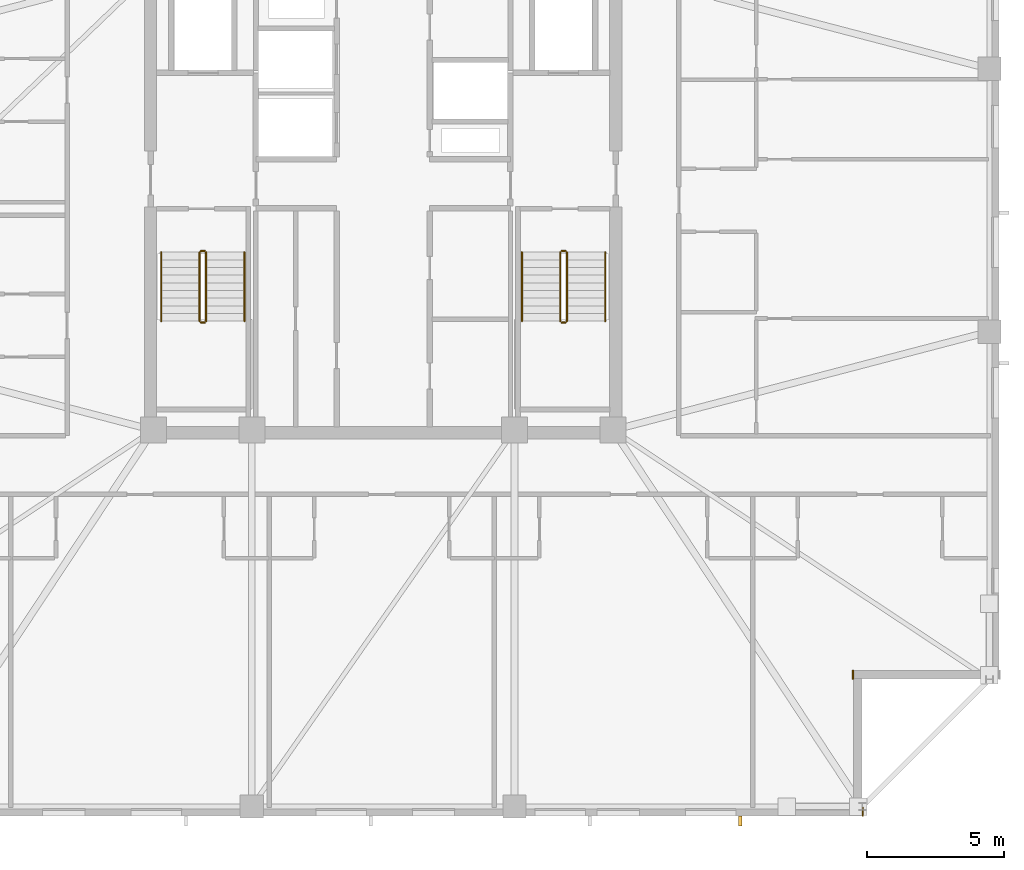
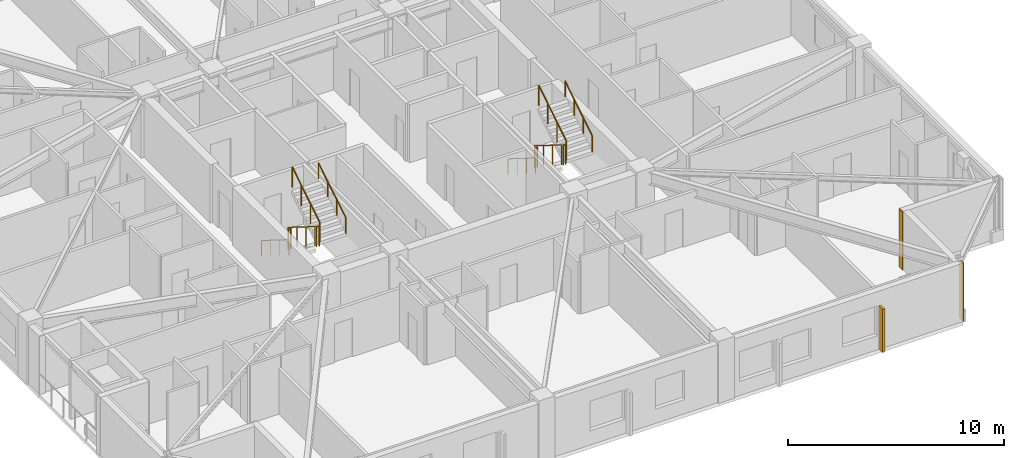
# One storey, part 14 of 17: 12 railings, 2 coverings, 1 shading device.
"""IFC4 building model written with IfcOpenShell, lengths in metres."""

from ifc_helpers import new_model, si_unit, direction, frame, frame_2d, origin, origin_2d, place, context, subcontext, project, spatial, rectangle, circle, extrude, material, layer, layer_set, type_object, element, save


model = new_model("IFC4")

# Units and contexts
model_context = context("Model", 3, precision=1e-05, world=origin(), true_north=direction((0.0, 1.0)))
body_context = subcontext(model_context, "Body", "Model", "MODEL_VIEW")
ifc_project = project(units=[si_unit("LENGTHUNIT", "METRE"), si_unit("AREAUNIT", "SQUARE_METRE"), si_unit("VOLUMEUNIT", "CUBIC_METRE"), si_unit("PLANEANGLEUNIT", "RADIAN"), si_unit("MASSUNIT", "GRAM", prefix="KILO")], contexts=[model_context])

# Site, building, storey
site_placement = place(None, origin())
site = spatial("IfcSite", under=ifc_project, at=site_placement, CompositionType="ELEMENT")
building_placement = place(site_placement, origin())
building = spatial("IfcBuilding", under=site, at=building_placement, Name="Cairnveth Concourse Tower", CompositionType="ELEMENT")
storey_placement = place(building_placement, frame((0.0, 0.0, 251.5)))
storey = spatial("IfcBuildingStorey", under=building, at=storey_placement, Name="L69", CompositionType="ELEMENT", Elevation=251.5)

# Coverings
ifc_material_1 = material(Name="Dressed Melbourne Bluestone Cladding", Category="masonry")
ifc_layer = layer(ifc_material_1, 0.050048828125)
ifc_layer_set = layer_set([ifc_layer], Name="Dressed Melbourne Bluestone Cladding")
covering_type = type_object("IfcCoveringType", Name="DRESSED BLUESTONE PLINTH CLADDING 50", PredefinedType="CLADDING", material=ifc_layer_set)
for number, where, z_axis, x_axis, name in (
    (1, (69.159912109375, 21.820068359375, 0.0), (0.0, 0.0, 1.0), (0.0, -1.0, 0.0), "Melbourne Bluestone Corner Quoin L69-1047"),
    (2, (69.52001953125, 16.820068359375, 0.0), (0.0, 0.0, 1.0), (0.0, -1.0, 0.0), "Melbourne Bluestone Corner Quoin L69-1048"),
):
    element("IfcCovering", number, at=place(storey_placement, frame(where, z_axis=z_axis, x_axis=x_axis)), inside=storey, type_object=covering_type, Name=name, PredefinedType="CLADDING", context=body_context, shape_type="SweptSolid", body=[
        extrude(rectangle(XDim=0.320068359375, YDim=0.050048828125, at=frame_2d((0.16015625, 0.0))), origin(), (0.0, 0.0, 1.0), 3.2900390625),
    ])

# Shading device
ifc_material_2 = material(Name="Architectural Bronze Anodised Aluminium 6063-T6", Category="aluminium")
shading_device_type = type_object("IfcShadingDeviceType", Name="GOTHIC BRONZE VERTICAL LANCET FIN", PredefinedType="USERDEFINED", material=ifc_material_2)
shading_device_placement = place(storey_placement, frame((65.04736328125, 16.324951171875, 0.030029296875), z_axis=(0.0, 0.0, 1.0), x_axis=(1.0, 0.0, 0.0)))
element("IfcShadingDevice", 3, at=shading_device_placement, inside=storey, type_object=shading_device_type, Name="Gothic Bronze Vertical Fin L69-9-1", ObjectType="VERTICAL FIN", PredefinedType="USERDEFINED", context=body_context, shape_type="SweptSolid", body=[
    extrude(rectangle(XDim=0.1201171875, YDim=0.360107421875, at=origin_2d()), origin(), (0.0, 0.0, 1.0), 2.43798828125),
])

# Railings
ifc_material_3 = material(Name="Steel Grade 350", Category="steel")
railing_type_1 = type_object("IfcRailingType", Name="STAIR GUARDRAIL 1150", PredefinedType="GUARDRAIL", material=ifc_material_3)
railing_1_placement = place(storey_placement, frame((45.2900390625, 37.10009765625, 0.175048828125)))
element("IfcRailing", 4, at=railing_1_placement, inside=storey, type_object=railing_type_1, Name="L69 ST-1 stair guard 1", PredefinedType="GUARDRAIL", context=body_context, shape_type="SweptSolid", body=[
    extrude(circle(Radius=0.02392578125, at=origin_2d()), frame((0.0, 0.0, 1.1259765625), z_axis=(0.0, -0.848007534815, 0.529984170421), x_axis=(1.0, 0.0, 0.0)), (0.0, 0.0, 1.0), 2.9716796875),
    extrude(circle(Radius=0.02099609375, at=origin_2d()), origin(), (0.0, 0.0, 1.0), 1.101806640625),
    extrude(circle(Radius=0.02099609375, at=origin_2d()), frame((0.0, -0.840087890625, 0.52490234375)), (0.0, 0.0, 1.0), 1.101806640625),
    extrude(circle(Radius=0.02099609375, at=origin_2d()), frame((0.0, -1.679931640625, 1.050048828125)), (0.0, 0.0, 1.0), 1.101806640625),
    extrude(circle(Radius=0.02099609375, at=origin_2d()), frame((0.0, -2.52001953125, 1.574951171875)), (0.0, 0.0, 1.0), 1.101806640625),
])
railing_2_placement = place(storey_placement, frame((45.340087890625, 34.530029296875, 1.75)))
element("IfcRailing", 5, at=railing_2_placement, inside=storey, type_object=railing_type_1, Name="L69 ST-1 stair guard 2", PredefinedType="GUARDRAIL", context=body_context, shape_type="SweptSolid", body=[
    extrude(circle(Radius=0.02392578125, at=origin_2d()), frame((0.0, 0.0, 1.1259765625), z_axis=(1.0, 0.0, 0.0), x_axis=(0.0, 1.0, 0.0)), (0.0, 0.0, 1.0), 0.139892578125),
    extrude(circle(Radius=0.02099609375, at=origin_2d()), origin(), (0.0, 0.0, 1.0), 1.101806640625),
    extrude(circle(Radius=0.02099609375, at=origin_2d()), frame((0.139892578125, 0.0, 0.0)), (0.0, 0.0, 1.0), 1.101806640625),
])
railing_3_placement = place(storey_placement, frame((45.530029296875, 34.580078125, 1.925048828125)))
element("IfcRailing", 6, at=railing_3_placement, inside=storey, type_object=railing_type_1, Name="L69 ST-1 stair guard 3", PredefinedType="GUARDRAIL", context=body_context, shape_type="SweptSolid", body=[
    extrude(circle(Radius=0.02392578125, at=origin_2d()), frame((0.0, 0.0, 1.1259765625), z_axis=(0.0, 0.848007534815, 0.529984170421), x_axis=(-1.0, 0.0, 0.0)), (0.0, 0.0, 1.0), 2.9716796875),
    extrude(circle(Radius=0.02099609375, at=origin_2d()), origin(), (0.0, 0.0, 1.0), 1.101806640625),
    extrude(circle(Radius=0.02099609375, at=origin_2d()), frame((0.0, 0.840087890625, 0.52490234375)), (0.0, 0.0, 1.0), 1.101806640625),
    extrude(circle(Radius=0.02099609375, at=origin_2d()), frame((0.0, 1.679931640625, 1.050048828125)), (0.0, 0.0, 1.0), 1.101806640625),
    extrude(circle(Radius=0.02099609375, at=origin_2d()), frame((0.0, 2.52001953125, 1.574951171875)), (0.0, 0.0, 1.0), 1.101806640625),
])
railing_4_placement = place(storey_placement, frame((45.340087890625, 37.14990234375, 0.0)))
element("IfcRailing", 7, at=railing_4_placement, inside=storey, type_object=railing_type_1, Name="L69 ST-1 stair guard 4", PredefinedType="GUARDRAIL", context=body_context, shape_type="SweptSolid", body=[
    extrude(circle(Radius=0.02392578125, at=origin_2d()), frame((0.0, 0.0, 1.1259765625), z_axis=(1.0, 0.0, 0.0), x_axis=(0.0, 1.0, 0.0)), (0.0, 0.0, 1.0), 0.139892578125),
    extrude(circle(Radius=0.02099609375, at=origin_2d()), origin(), (0.0, 0.0, 1.0), 1.101806640625),
    extrude(circle(Radius=0.02099609375, at=origin_2d()), frame((0.139892578125, 0.0, 0.0)), (0.0, 0.0, 1.0), 1.101806640625),
])
railing_5_placement = place(storey_placement, frame((58.469970703125, 37.10009765625, 0.175048828125)))
element("IfcRailing", 8, at=railing_5_placement, inside=storey, type_object=railing_type_1, Name="L69 ST-2 stair guard 1", PredefinedType="GUARDRAIL", context=body_context, shape_type="SweptSolid", body=[
    extrude(circle(Radius=0.02392578125, at=origin_2d()), frame((0.0, 0.0, 1.1259765625), z_axis=(0.0, -0.848007534815, 0.529984170421), x_axis=(1.0, 0.0, 0.0)), (0.0, 0.0, 1.0), 2.9716796875),
    extrude(circle(Radius=0.02099609375, at=origin_2d()), origin(), (0.0, 0.0, 1.0), 1.101806640625),
    extrude(circle(Radius=0.02099609375, at=origin_2d()), frame((0.0, -0.840087890625, 0.52490234375)), (0.0, 0.0, 1.0), 1.101806640625),
    extrude(circle(Radius=0.02099609375, at=origin_2d()), frame((0.0, -1.679931640625, 1.050048828125)), (0.0, 0.0, 1.0), 1.101806640625),
    extrude(circle(Radius=0.02099609375, at=origin_2d()), frame((0.0, -2.52001953125, 1.574951171875)), (0.0, 0.0, 1.0), 1.101806640625),
])
railing_6_placement = place(storey_placement, frame((58.52001953125, 34.530029296875, 1.75)))
element("IfcRailing", 9, at=railing_6_placement, inside=storey, type_object=railing_type_1, Name="L69 ST-2 stair guard 2", PredefinedType="GUARDRAIL", context=body_context, shape_type="SweptSolid", body=[
    extrude(circle(Radius=0.02392578125, at=origin_2d()), frame((0.0, 0.0, 1.1259765625), z_axis=(1.0, 0.0, 0.0), x_axis=(0.0, 1.0, 0.0)), (0.0, 0.0, 1.0), 0.139892578125),
    extrude(circle(Radius=0.02099609375, at=origin_2d()), origin(), (0.0, 0.0, 1.0), 1.101806640625),
    extrude(circle(Radius=0.02099609375, at=origin_2d()), frame((0.139892578125, 0.0, 0.0)), (0.0, 0.0, 1.0), 1.101806640625),
])
railing_7_placement = place(storey_placement, frame((58.7099609375, 34.580078125, 1.925048828125)))
element("IfcRailing", 10, at=railing_7_placement, inside=storey, type_object=railing_type_1, Name="L69 ST-2 stair guard 3", PredefinedType="GUARDRAIL", context=body_context, shape_type="SweptSolid", body=[
    extrude(circle(Radius=0.02392578125, at=origin_2d()), frame((0.0, 0.0, 1.1259765625), z_axis=(0.0, 0.848007534815, 0.529984170421), x_axis=(-1.0, 0.0, 0.0)), (0.0, 0.0, 1.0), 2.9716796875),
    extrude(circle(Radius=0.02099609375, at=origin_2d()), origin(), (0.0, 0.0, 1.0), 1.101806640625),
    extrude(circle(Radius=0.02099609375, at=origin_2d()), frame((0.0, 0.840087890625, 0.52490234375)), (0.0, 0.0, 1.0), 1.101806640625),
    extrude(circle(Radius=0.02099609375, at=origin_2d()), frame((0.0, 1.679931640625, 1.050048828125)), (0.0, 0.0, 1.0), 1.101806640625),
    extrude(circle(Radius=0.02099609375, at=origin_2d()), frame((0.0, 2.52001953125, 1.574951171875)), (0.0, 0.0, 1.0), 1.101806640625),
])
railing_8_placement = place(storey_placement, frame((58.52001953125, 37.14990234375, 0.0)))
element("IfcRailing", 11, at=railing_8_placement, inside=storey, type_object=railing_type_1, Name="L69 ST-2 stair guard 4", PredefinedType="GUARDRAIL", context=body_context, shape_type="SweptSolid", body=[
    extrude(circle(Radius=0.02392578125, at=origin_2d()), frame((0.0, 0.0, 1.1259765625), z_axis=(1.0, 0.0, 0.0), x_axis=(0.0, 1.0, 0.0)), (0.0, 0.0, 1.0), 0.139892578125),
    extrude(circle(Radius=0.02099609375, at=origin_2d()), origin(), (0.0, 0.0, 1.0), 1.101806640625),
    extrude(circle(Radius=0.02099609375, at=origin_2d()), frame((0.139892578125, 0.0, 0.0)), (0.0, 0.0, 1.0), 1.101806640625),
])
railing_type_2 = type_object("IfcRailingType", Name="STAIR WALL HANDRAIL 900", PredefinedType="HANDRAIL", material=ifc_material_3)
railing_9_placement = place(storey_placement, frame((43.889892578125, 37.10009765625, 0.175048828125)))
element("IfcRailing", 12, at=railing_9_placement, inside=storey, type_object=railing_type_2, Name="L69 ST-1 stair handrail 1", PredefinedType="HANDRAIL", context=body_context, shape_type="SweptSolid", body=[
    extrude(circle(Radius=0.02392578125, at=origin_2d()), frame((0.0, 0.0, 0.8759765625), z_axis=(0.0, -0.848007534815, 0.529984170421), x_axis=(1.0, 0.0, 0.0)), (0.0, 0.0, 1.0), 2.9716796875),
    extrude(circle(Radius=0.02099609375, at=origin_2d()), origin(), (0.0, 0.0, 1.0), 0.851806640625),
    extrude(circle(Radius=0.02099609375, at=origin_2d()), frame((0.0, -0.840087890625, 0.52490234375)), (0.0, 0.0, 1.0), 0.851806640625),
    extrude(circle(Radius=0.02099609375, at=origin_2d()), frame((0.0, -1.679931640625, 1.050048828125)), (0.0, 0.0, 1.0), 0.851806640625),
    extrude(circle(Radius=0.02099609375, at=origin_2d()), frame((0.0, -2.52001953125, 1.574951171875)), (0.0, 0.0, 1.0), 0.851806640625),
])
railing_10_placement = place(storey_placement, frame((46.929931640625, 34.580078125, 1.925048828125)))
element("IfcRailing", 13, at=railing_10_placement, inside=storey, type_object=railing_type_2, Name="L69 ST-1 stair handrail 2", PredefinedType="HANDRAIL", context=body_context, shape_type="SweptSolid", body=[
    extrude(circle(Radius=0.02392578125, at=origin_2d()), frame((0.0, 0.0, 0.8759765625), z_axis=(0.0, 0.848007534815, 0.529984170421), x_axis=(-1.0, 0.0, 0.0)), (0.0, 0.0, 1.0), 2.9716796875),
    extrude(circle(Radius=0.02099609375, at=origin_2d()), origin(), (0.0, 0.0, 1.0), 0.851806640625),
    extrude(circle(Radius=0.02099609375, at=origin_2d()), frame((0.0, 0.840087890625, 0.52490234375)), (0.0, 0.0, 1.0), 0.851806640625),
    extrude(circle(Radius=0.02099609375, at=origin_2d()), frame((0.0, 1.679931640625, 1.050048828125)), (0.0, 0.0, 1.0), 0.851806640625),
    extrude(circle(Radius=0.02099609375, at=origin_2d()), frame((0.0, 2.52001953125, 1.574951171875)), (0.0, 0.0, 1.0), 0.851806640625),
])
railing_11_placement = place(storey_placement, frame((57.070068359375, 37.10009765625, 0.175048828125)))
element("IfcRailing", 14, at=railing_11_placement, inside=storey, type_object=railing_type_2, Name="L69 ST-2 stair handrail 1", PredefinedType="HANDRAIL", context=body_context, shape_type="SweptSolid", body=[
    extrude(circle(Radius=0.02392578125, at=origin_2d()), frame((0.0, 0.0, 0.8759765625), z_axis=(0.0, -0.848007534815, 0.529984170421), x_axis=(1.0, 0.0, 0.0)), (0.0, 0.0, 1.0), 2.9716796875),
    extrude(circle(Radius=0.02099609375, at=origin_2d()), origin(), (0.0, 0.0, 1.0), 0.851806640625),
    extrude(circle(Radius=0.02099609375, at=origin_2d()), frame((0.0, -0.840087890625, 0.52490234375)), (0.0, 0.0, 1.0), 0.851806640625),
    extrude(circle(Radius=0.02099609375, at=origin_2d()), frame((0.0, -1.679931640625, 1.050048828125)), (0.0, 0.0, 1.0), 0.851806640625),
    extrude(circle(Radius=0.02099609375, at=origin_2d()), frame((0.0, -2.52001953125, 1.574951171875)), (0.0, 0.0, 1.0), 0.851806640625),
])
railing_12_placement = place(storey_placement, frame((60.110107421875, 34.580078125, 1.925048828125)))
element("IfcRailing", 15, at=railing_12_placement, inside=storey, type_object=railing_type_2, Name="L69 ST-2 stair handrail 2", PredefinedType="HANDRAIL", context=body_context, shape_type="SweptSolid", body=[
    extrude(circle(Radius=0.02392578125, at=origin_2d()), frame((0.0, 0.0, 0.8759765625), z_axis=(0.0, 0.848007534815, 0.529984170421), x_axis=(-1.0, 0.0, 0.0)), (0.0, 0.0, 1.0), 2.9716796875),
    extrude(circle(Radius=0.02099609375, at=origin_2d()), origin(), (0.0, 0.0, 1.0), 0.851806640625),
    extrude(circle(Radius=0.02099609375, at=origin_2d()), frame((0.0, 0.840087890625, 0.52490234375)), (0.0, 0.0, 1.0), 0.851806640625),
    extrude(circle(Radius=0.02099609375, at=origin_2d()), frame((0.0, 1.679931640625, 1.050048828125)), (0.0, 0.0, 1.0), 0.851806640625),
    extrude(circle(Radius=0.02099609375, at=origin_2d()), frame((0.0, 2.52001953125, 1.574951171875)), (0.0, 0.0, 1.0), 0.851806640625),
])

save(model, "model.ifc")
